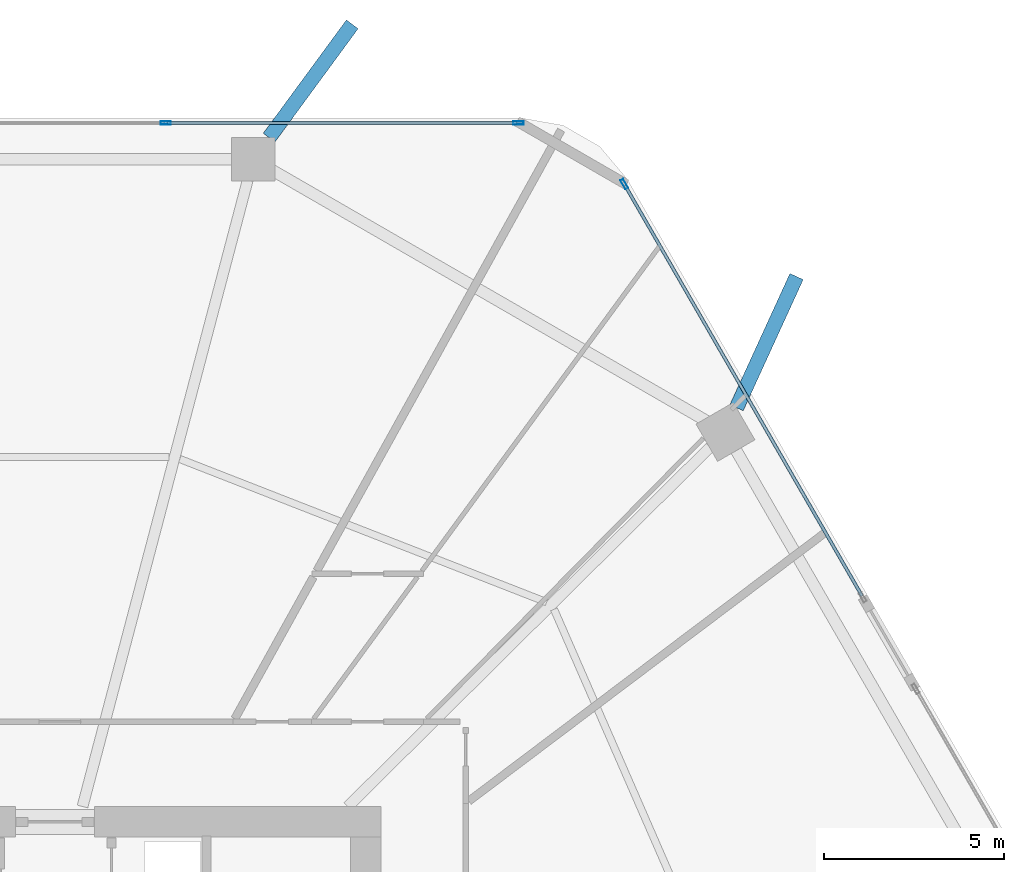
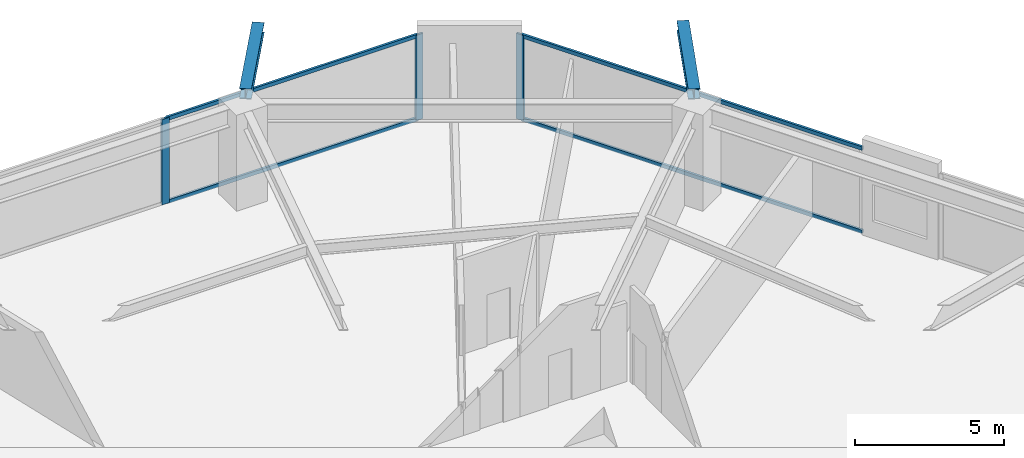
# One storey, part 19 of 25: 7 members, 2 beams, 2 elements without a shape of their own.
"""IFC4 building model written with IfcOpenShell, lengths in metres."""

from ifc_helpers import new_model, si_unit, direction, frame, origin, origin_2d, place, context, subcontext, project, spatial, hollow_rectangle, i_section, extrude, material, material_profile, profile_set, type_object, element, aggregate, save


model = new_model("IFC4")

# Units and contexts
model_context = context("Model", 3, precision=1e-05, world=origin(), true_north=direction((0.0, 1.0)))
body_context = subcontext(model_context, "Body", "Model", "MODEL_VIEW")
ifc_project = project(units=[si_unit("LENGTHUNIT", "METRE"), si_unit("AREAUNIT", "SQUARE_METRE"), si_unit("VOLUMEUNIT", "CUBIC_METRE"), si_unit("PLANEANGLEUNIT", "RADIAN"), si_unit("MASSUNIT", "GRAM", prefix="KILO")], contexts=[model_context])

# Site, building, storey
site_placement = place(None, origin())
site = spatial("IfcSite", under=ifc_project, at=site_placement, CompositionType="ELEMENT")
building_placement = place(site_placement, origin())
building = spatial("IfcBuilding", under=site, at=building_placement, Name="Zuhravey Tower", CompositionType="ELEMENT")
storey_placement = place(building_placement, frame((0.0, 0.0, 37.199951171875)))
storey = spatial("IfcBuildingStorey", under=building, at=storey_placement, Name="L09", CompositionType="ELEMENT", Elevation=37.199951171875)

# Curtain wall, members
ifc_material_1 = material(Name="Thermally broken anodised aluminium", Category="aluminium")
curtain_wall_type = type_object("IfcCurtainWallType", Name="School Low-E Unitised Curtain Wall CW1", PredefinedType="NOTDEFINED", material=ifc_material_1)
curtain_wall_1_placement = place(storey_placement, origin())
curtain_wall_1 = element("IfcCurtainWall", 1, at=curtain_wall_1_placement, inside=storey, type_object=curtain_wall_type, Name="L09 CW1 CW-L09-F2-1", PredefinedType="NOTDEFINED")
ifc_material_2 = material(Name="Anodised aluminium", Category="aluminium")
ifc_material_profile_1 = material_profile(ifc_material_2, hollow_rectangle(XDim=0.090087890625, YDim=0.284912109375, WallThickness=0.0048828125, at=origin_2d()), Name="ALU-RHS-90x285x5")
ifc_profile_set_1 = profile_set([ifc_material_profile_1], Name="Anodised aluminium")
member_type_1 = type_object("IfcMemberType", Name="Curtain-Wall Mullion 90x180", PredefinedType="MULLION", material=ifc_profile_set_1)
member_1_placement = place(storey_placement, frame((40.93310546875, 60.95849609375, 0.0), z_axis=(0.0, 0.0, 1.0), x_axis=(0.0, 1.0, 0.0)))
member_1 = element("IfcMember", 2, at=member_1_placement, type_object=member_type_1, Name="CW1 mullion 3", PredefinedType="MULLION", context=body_context, shape_type="SweptSolid", body=[
    extrude(hollow_rectangle(XDim=0.090087890625, YDim=0.284912109375, WallThickness=0.0048828125, at=origin_2d()), origin(), (0.0, 0.0, 1.0), 3.491943359375),
])
member_2_placement = place(storey_placement, frame((50.75439453125, 60.95849609375, 0.0), z_axis=(0.0, 0.0, 1.0), x_axis=(0.0, 1.0, 0.0)))
member_2 = element("IfcMember", 3, at=member_2_placement, type_object=member_type_1, Name="CW1 mullion 4", PredefinedType="MULLION", context=body_context, shape_type="SweptSolid", body=[
    extrude(hollow_rectangle(XDim=0.090087890625, YDim=0.284912109375, WallThickness=0.0048828125, at=origin_2d()), origin(), (0.0, 0.0, 1.0), 3.491943359375),
])

# Curtain wall, member
curtain_wall_2_placement = place(storey_placement, origin())
curtain_wall_2 = element("IfcCurtainWall", 4, at=curtain_wall_2_placement, inside=storey, type_object=curtain_wall_type, Name="L09 CW1 CW-L09-F1-1", PredefinedType="NOTDEFINED")
member_3_placement = place(storey_placement, frame((53.701416015625, 59.257080078125, 0.0), z_axis=(0.0, 0.0, 1.0), x_axis=(0.866027830768, 0.499995796318, 0.0)))
member_3 = element("IfcMember", 5, at=member_3_placement, type_object=member_type_1, Name="CW1 mullion 1", PredefinedType="MULLION", context=body_context, shape_type="SweptSolid", body=[
    extrude(hollow_rectangle(XDim=0.090087890625, YDim=0.284912109375, WallThickness=0.0048828125, at=origin_2d()), origin(), (0.0, 0.0, 1.0), 3.491943359375),
])

# Member
ifc_material_profile_2 = material_profile(ifc_material_2, hollow_rectangle(XDim=0.090087890625, YDim=0.14990234375, WallThickness=0.0048828125, at=origin_2d()), Name="ALU-RHS-90x150x5")
ifc_profile_set_2 = profile_set([ifc_material_profile_2], Name="Anodised aluminium")
member_type_2 = type_object("IfcMemberType", Name="Curtain-Wall Transom 90x150", PredefinedType="USERDEFINED", material=ifc_profile_set_2)
member_4_placement = place(storey_placement, frame((40.978271484375, 60.95849609375, 0.045166015625), z_axis=(1.0, 0.0, 0.0), x_axis=(0.0, 1.0, 0.0)))
member_4 = element("IfcMember", 6, at=member_4_placement, type_object=member_type_2, Name="CW1 transom 3.1", ObjectType="TRANSOM", PredefinedType="USERDEFINED", context=body_context, shape_type="SweptSolid", body=[
    extrude(hollow_rectangle(XDim=0.090087890625, YDim=0.14990234375, WallThickness=0.0048828125, at=origin_2d()), origin(), (0.0, 0.0, 1.0), 9.731201171875),
])

member_5_placement = place(storey_placement, frame((40.978271484375, 60.95849609375, 3.447021484375), z_axis=(1.0, 0.0, 0.0), x_axis=(0.0, 1.0, 0.0)))
member_5 = element("IfcMember", 7, at=member_5_placement, type_object=member_type_2, Name="CW1 transom 3.2", ObjectType="TRANSOM", PredefinedType="USERDEFINED", context=body_context, shape_type="SweptSolid", body=[
    extrude(hollow_rectangle(XDim=0.090087890625, YDim=0.14990234375, WallThickness=0.0048828125, at=origin_2d()), origin(), (0.0, 0.0, 1.0), 9.731201171875),
])

aggregate(curtain_wall_1, [member_1, member_2, member_4, member_5])

member_6_placement = place(storey_placement, frame((53.72412109375, 59.218017578125, 0.045166015625), z_axis=(0.499995809012, -0.866027823439, 0.0), x_axis=(0.866027823439, 0.499995809012, 0.0)))
member_6 = element("IfcMember", 8, at=member_6_placement, type_object=member_type_2, Name="CW1 transom 1.1", ObjectType="TRANSOM", PredefinedType="USERDEFINED", context=body_context, shape_type="SweptSolid", body=[
    extrude(hollow_rectangle(XDim=0.090087890625, YDim=0.14990234375, WallThickness=0.0048828125, at=origin_2d()), origin(), (0.0, 0.0, 1.0), 13.1943359375),
])

member_7_placement = place(storey_placement, frame((53.72412109375, 59.218017578125, 3.447021484375), z_axis=(0.499995809012, -0.866027823439, 0.0), x_axis=(0.866027823439, 0.499995809012, 0.0)))
member_7 = element("IfcMember", 9, at=member_7_placement, type_object=member_type_2, Name="CW1 transom 1.2", ObjectType="TRANSOM", PredefinedType="USERDEFINED", context=body_context, shape_type="SweptSolid", body=[
    extrude(hollow_rectangle(XDim=0.090087890625, YDim=0.14990234375, WallThickness=0.0048828125, at=origin_2d()), origin(), (0.0, 0.0, 1.0), 13.1943359375),
])

aggregate(curtain_wall_2, [member_3, member_6, member_7])

# Beams
ifc_material_3 = material(Name="Steel SM460", Category="steel")
ifc_material_profile_3 = material_profile(ifc_material_3, i_section(OverallWidth=0.406982421875, OverallDepth=0.427978515625, WebThickness=0.02001953125, FlangeThickness=0.034912109375, at=origin_2d()), Name="H-428x407x20x35")
ifc_profile_set_3 = profile_set([ifc_material_profile_3], Name="Steel SM460")
beam_type = type_object("IfcBeamType", Name="Exoskeleton Node Tie Beam H428x407", PredefinedType="BEAM", material=ifc_profile_set_3)
beam_1_placement = place(storey_placement, frame((56.826904296875, 53.030029296875, 3.7060546875), z_axis=(0.415934923193, 0.909394380711, 0.0), x_axis=(-0.909394380711, 0.415934923193, 0.0)))
element("IfcBeam", 10, at=beam_1_placement, inside=storey, type_object=beam_type, Name="L09 Exoskeleton Node Tie NT1-02", PredefinedType="BEAM", context=body_context, shape_type="SweptSolid", body=[
    extrude(i_section(OverallWidth=0.406982421875, OverallDepth=0.427978515625, WebThickness=0.02001953125, FlangeThickness=0.034912109375, at=origin_2d()), origin(), (0.0, 0.0, 1.0), 4.018310546875),
])
beam_2_placement = place(storey_placement, frame((43.812744140625, 60.5517578125, 3.7060546875), z_axis=(0.591671978423, 0.806178807678, 0.0), x_axis=(-0.806178807678, 0.591671978423, 0.0)))
element("IfcBeam", 11, at=beam_2_placement, inside=storey, type_object=beam_type, Name="L09 Exoskeleton Node Tie NT1-03", PredefinedType="BEAM", context=body_context, shape_type="SweptSolid", body=[
    extrude(i_section(OverallWidth=0.406982421875, OverallDepth=0.427978515625, WebThickness=0.02001953125, FlangeThickness=0.034912109375, at=origin_2d()), origin(), (0.0, 0.0, 1.0), 3.912841796875),
])

save(model, "model.ifc")
